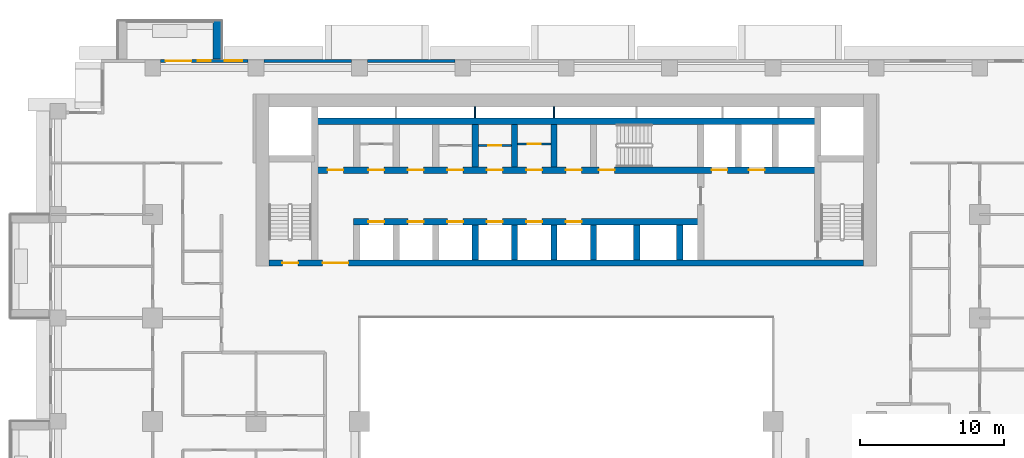
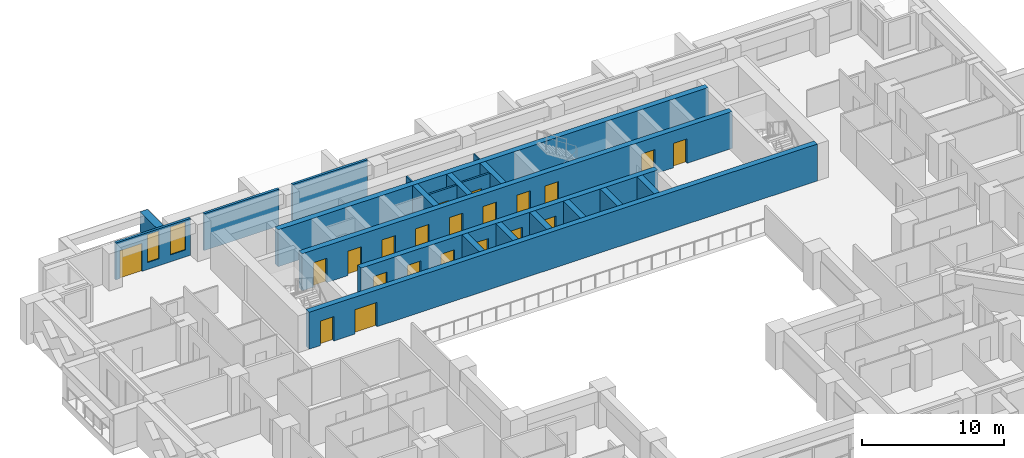
# One storey, part 10 of 17: 21 doors, 21 walls, 2 windows, 23 openings.
"""IFC4 building model written with IfcOpenShell, lengths in metres."""

from ifc_helpers import new_model, si_unit, direction, frame, frame_2d, origin, place, context, subcontext, project, spatial, rectangle, extrude, material, layer, layer_set, type_object, element, fill, save


model = new_model("IFC4")

# Units and contexts
model_context = context("Model", 3, precision=1e-05, world=origin(), true_north=direction((0.0, 1.0)))
body_context = subcontext(model_context, "Body", "Model", "MODEL_VIEW")
ifc_project = project(units=[si_unit("LENGTHUNIT", "METRE"), si_unit("AREAUNIT", "SQUARE_METRE"), si_unit("VOLUMEUNIT", "CUBIC_METRE"), si_unit("PLANEANGLEUNIT", "RADIAN"), si_unit("MASSUNIT", "GRAM", prefix="KILO")], contexts=[model_context])

# Site, building, storey
site_placement = place(None, origin())
site = spatial("IfcSite", under=ifc_project, at=site_placement, CompositionType="ELEMENT")
building_placement = place(site_placement, origin())
building = spatial("IfcBuilding", under=site, at=building_placement, Name="Saffron Iwan Residences", CompositionType="ELEMENT")
storey_placement = place(building_placement, frame((0.0, 0.0, 37.5)))
storey = spatial("IfcBuildingStorey", under=building, at=storey_placement, Name="L08", CompositionType="ELEMENT", Elevation=37.5)

# Wall
ifc_material_1 = material(Name="Concrete C50/60 white painted", Category="concrete")
ifc_layer_1 = layer(ifc_material_1, 0.60009765625)
ifc_layer_set_1 = layer_set([ifc_layer_1], Name="Concrete C50/60 white painted")
wall_type_1 = type_object("IfcWallType", Name="BALCONY FIN 600", PredefinedType="SOLIDWALL", material=ifc_layer_set_1)
wall_1_placement = place(storey_placement, frame((26.10009765625, 80.449951171875, 0.0), z_axis=(0.0, 0.0, 1.0), x_axis=(0.0, 1.0, 0.0)))
element("IfcWall", 1, at=wall_1_placement, inside=storey, type_object=wall_type_1, Name="Balcony fin L08 F5-3a", PredefinedType="SOLIDWALL", context=body_context, shape_type="SweptSolid", body=[
    extrude(rectangle(XDim=2.650146484375, YDim=0.60009765625, at=frame_2d((1.3251953125, 0.0))), origin(), (0.0, 0.0, 1.0), 2.85009765625),
])

# Wall, opening, door
ifc_material_2 = material(Name="Fire-rated plasterboard partition")
ifc_layer_2 = layer(ifc_material_2, 0.14990234375)
ifc_layer_set_2 = layer_set([ifc_layer_2], Name="Fire-rated plasterboard partition")
wall_type_2 = type_object("IfcWallType", Name="Core partition 150", PredefinedType="PARTITIONING", material=ifc_layer_set_2)
wall_2_placement = place(storey_placement, frame((44.27490234375, 74.39990234375, 0.0), z_axis=(0.0, 0.0, 1.0), x_axis=(1.0, 0.0, 0.0)))
wall_2 = element("IfcWall", 2, at=wall_2_placement, inside=storey, type_object=wall_type_2, Name="Core partition P03", PredefinedType="PARTITIONING", context=body_context, shape_type="SweptSolid", body=[
    extrude(rectangle(XDim=2.300048828125, YDim=0.14990234375, at=frame_2d((1.14990234375, 0.0))), origin(), (0.0, 0.0, 1.0), 3.179931640625),
])
opening_1_placement = place(wall_2_placement, frame((0.699951171875, 0.0, 0.0)))
opening_1 = element("IfcOpeningElement", 3, at=opening_1_placement, cuts=wall_2, Name="Opening SB", PredefinedType="OPENING", context=body_context, shape_type="SweptSolid", body=[
    extrude(rectangle(XDim=0.89990234375, YDim=2.10009765625, at=frame_2d((0.449951171875, 1.050048828125))), frame((0.0, 0.0849609375, 0.0), z_axis=(0.0, -1.0, 0.0), x_axis=(1.0, 0.0, 0.0)), (0.0, 0.0, 1.0), 0.169921875),
])
ifc_material_3 = material(Name="Steel fire door", Category="steel")
door_type_1 = type_object("IfcDoorType", Name="Store door 900", OperationType="NOTDEFINED", PredefinedType="DOOR", material=ifc_material_3)
door_1_placement = place(opening_1_placement, origin())
door_1 = element("IfcDoor", 4, at=door_1_placement, inside=storey, type_object=door_type_1, Name="Door Cabling room", OperationType="SINGLE_SWING_RIGHT", OverallHeight=2.10009765625, OverallWidth=0.89990234375, PredefinedType="DOOR", context=body_context, shape_type="SweptSolid", body=[
    extrude(rectangle(XDim=0.89990234375, YDim=2.10009765625, at=frame_2d((0.449951171875, 1.050048828125))), frame((0.0, 0.02490234375, 0.0), z_axis=(0.0, -1.0, 0.0), x_axis=(1.0, 0.0, 0.0)), (0.0, 0.0, 1.0), 0.050048828125),
])
fill(opening_1, door_1)

wall_3_placement = place(storey_placement, frame((47.02490234375, 74.51806640625, 0.0), z_axis=(0.0, 0.0, 1.0), x_axis=(1.0, 0.0, 0.0)))
wall_3 = element("IfcWall", 5, at=wall_3_placement, inside=storey, type_object=wall_type_2, Name="Core partition P04", PredefinedType="PARTITIONING", context=body_context, shape_type="SweptSolid", body=[
    extrude(rectangle(XDim=2.300048828125, YDim=0.14990234375, at=frame_2d((1.14990234375, 0.0))), origin(), (0.0, 0.0, 1.0), 3.179931640625),
])
opening_2_placement = place(wall_3_placement, frame((0.699951171875, 0.0, 0.0)))
opening_2 = element("IfcOpeningElement", 6, at=opening_2_placement, cuts=wall_3, Name="Opening SB", PredefinedType="OPENING", context=body_context, shape_type="SweptSolid", body=[
    extrude(rectangle(XDim=0.89990234375, YDim=2.10009765625, at=frame_2d((0.449951171875, 1.050048828125))), frame((0.0, 0.0849609375, 0.0), z_axis=(0.0, -1.0, 0.0), x_axis=(1.0, 0.0, 0.0)), (0.0, 0.0, 1.0), 0.169921875),
])
door_2_placement = place(opening_2_placement, origin())
door_2 = element("IfcDoor", 7, at=door_2_placement, inside=storey, type_object=door_type_1, Name="Door Equipment store", OperationType="SINGLE_SWING_RIGHT", OverallHeight=2.10009765625, OverallWidth=0.89990234375, PredefinedType="DOOR", context=body_context, shape_type="SweptSolid", body=[
    extrude(rectangle(XDim=0.89990234375, YDim=2.10009765625, at=frame_2d((0.449951171875, 1.050048828125))), frame((0.0, 0.02490234375, 0.0), z_axis=(0.0, -1.0, 0.0), x_axis=(1.0, 0.0, 0.0)), (0.0, 0.0, 1.0), 0.050048828125),
])
fill(opening_2, door_2)

# Walls
ifc_material_4 = material(Name="Concrete C40/50", Category="concrete")
ifc_layer_3 = layer(ifc_material_4, 0.199951171875)
ifc_layer_set_3 = layer_set([ifc_layer_3], Name="Concrete C40/50")
wall_type_3 = type_object("IfcWallType", Name="EXTERNAL WALL 200", PredefinedType="SOLIDWALL", material=ifc_layer_set_3)
for number, where, z_axis, x_axis, name in (
    (8, (42.64990234375, 80.300048828125, 0.0), (0.0, 0.0, 1.0), (-1.0, 0.0, 0.0), "External wall L08 F5.6"),
    (9, (35.449951171875, 80.300048828125, 0.0), (0.0, 0.0, 1.0), (-1.0, 0.0, 0.0), "External wall L08 F5.7"),
):
    element("IfcWall", number, at=place(storey_placement, frame(where, z_axis=z_axis, x_axis=x_axis)), inside=storey, type_object=wall_type_3, Name=name, PredefinedType="SOLIDWALL", context=body_context, shape_type="SweptSolid", body=[
        extrude(rectangle(XDim=6.099853515625, YDim=0.199951171875, at=frame_2d((3.0498046875, 0.0))), origin(), (0.0, 0.0, 1.0), 3.179931640625),
    ])

# Wall, openings, door, windows
wall_4_placement = place(storey_placement, frame((28.25, 80.300048828125, 0.0), z_axis=(0.0, 0.0, 1.0), x_axis=(-1.0, 0.0, 0.0)))
wall_4 = element("IfcWall", 10, at=wall_4_placement, inside=storey, type_object=wall_type_3, Name="External wall L08 F5.8", PredefinedType="SOLIDWALL", context=body_context, shape_type="SweptSolid", body=[
    extrude(rectangle(XDim=6.10009765625, YDim=0.199951171875, at=frame_2d((3.050048828125, 0.0))), origin(), (0.0, 0.0, 1.0), 3.179931640625),
])
opening_3_placement = place(wall_4_placement, frame((3.949951171875, 0.0, 0.0)))
opening_3 = element("IfcOpeningElement", 11, at=opening_3_placement, cuts=wall_4, Name="Opening BD1", PredefinedType="OPENING", context=body_context, shape_type="SweptSolid", body=[
    extrude(rectangle(XDim=1.800048828125, YDim=2.39990234375, at=frame_2d((0.89990234375, 1.199951171875))), frame((0.0, 0.10986328125, 0.0), z_axis=(0.0, -1.0, 0.0), x_axis=(1.0, 0.0, 0.0)), (0.0, 0.0, 1.0), 0.219970703125),
])
opening_4_placement = place(wall_4_placement, frame((0.425048828125, 0.0, 0.60009765625)))
opening_4 = element("IfcOpeningElement", 12, at=opening_4_placement, cuts=wall_4, Name="Opening W3", PredefinedType="OPENING", context=body_context, shape_type="SweptSolid", body=[
    extrude(rectangle(XDim=1.199951171875, YDim=2.39990234375, at=frame_2d((0.60009765625, 1.199951171875))), frame((0.0, 0.10986328125, 0.0), z_axis=(0.0, -1.0, 0.0), x_axis=(1.0, 0.0, 0.0)), (0.0, 0.0, 1.0), 0.219970703125),
])
opening_5_placement = place(wall_4_placement, frame((2.60009765625, 0.0, 0.60009765625)))
opening_5 = element("IfcOpeningElement", 13, at=opening_5_placement, cuts=wall_4, Name="Opening W10", PredefinedType="OPENING", context=body_context, shape_type="SweptSolid", body=[
    extrude(rectangle(XDim=0.89990234375, YDim=2.39990234375, at=frame_2d((0.449951171875, 1.199951171875))), frame((0.0, 0.10986328125, 0.0), z_axis=(0.0, -1.0, 0.0), x_axis=(1.0, 0.0, 0.0)), (0.0, 0.0, 1.0), 0.219970703125),
])
ifc_material_5 = material(Name="Clear glass, laminated double glazed", Category="glass")
door_type_2 = type_object("IfcDoorType", Name="BALCONY DOOR 1800 x 2400", OperationType="DOUBLE_DOOR_SLIDING", PredefinedType="DOOR", material=ifc_material_5)
door_3_placement = place(opening_3_placement, origin())
door_3 = element("IfcDoor", 14, at=door_3_placement, inside=storey, type_object=door_type_2, Name="Balcony door L08 F5.0", OperationType="DOUBLE_DOOR_SLIDING", OverallHeight=2.39990234375, OverallWidth=1.800048828125, PredefinedType="DOOR", context=body_context, shape_type="SweptSolid", body=[
    extrude(rectangle(XDim=1.800048828125, YDim=2.39990234375, at=frame_2d((0.89990234375, 1.199951171875))), frame((0.0, 0.02490234375, 0.0), z_axis=(0.0, -1.0, 0.0), x_axis=(1.0, 0.0, 0.0)), (0.0, 0.0, 1.0), 0.050048828125),
])
fill(opening_3, door_3)
window_type_1 = type_object("IfcWindowType", Name="WINDOW 1200 x 2400", PartitioningType="SINGLE_PANEL", PredefinedType="WINDOW", material=ifc_material_5)
window_1_placement = place(opening_4_placement, origin())
window_1 = element("IfcWindow", 15, at=window_1_placement, inside=storey, type_object=window_type_1, Name="Window L08 F5.1", OverallHeight=2.39990234375, OverallWidth=1.199951171875, PartitioningType="SINGLE_PANEL", PredefinedType="WINDOW", context=body_context, shape_type="SweptSolid", body=[
    extrude(rectangle(XDim=1.199951171875, YDim=2.39990234375, at=frame_2d((0.60009765625, 1.199951171875))), frame((0.0, 0.030029296875, 0.0), z_axis=(0.0, -1.0, 0.0), x_axis=(1.0, 0.0, 0.0)), (0.0, 0.0, 1.0), 0.06005859375),
])
fill(opening_4, window_1)
window_type_2 = type_object("IfcWindowType", Name="WINDOW 900 x 2400", PartitioningType="SINGLE_PANEL", PredefinedType="WINDOW", material=ifc_material_5)
window_2_placement = place(opening_5_placement, origin())
window_2 = element("IfcWindow", 16, at=window_2_placement, inside=storey, type_object=window_type_2, Name="Window L08 F5.2", OverallHeight=2.39990234375, OverallWidth=0.89990234375, PartitioningType="SINGLE_PANEL", PredefinedType="WINDOW", context=body_context, shape_type="SweptSolid", body=[
    extrude(rectangle(XDim=0.89990234375, YDim=2.39990234375, at=frame_2d((0.449951171875, 1.199951171875))), frame((0.0, 0.030029296875, 0.0), z_axis=(0.0, -1.0, 0.0), x_axis=(1.0, 0.0, 0.0)), (0.0, 0.0, 1.0), 0.06005859375),
])
fill(opening_5, window_2)

# Walls
ifc_layer_4 = layer(ifc_material_2, 0.10009765625)
ifc_layer_set_4 = layer_set([ifc_layer_4], Name="Fire-rated plasterboard partition")
wall_type_4 = type_object("IfcWallType", Name="Riser partition 100", PredefinedType="PARTITIONING", material=ifc_layer_set_4)
for number, where, z_axis, x_axis, name in (
    (17, (44.050048828125, 76.324951171875, 0.0), (0.0, 0.0, 1.0), (0.0, 1.0, 0.0), "Core partition P06"),
    (18, (49.550048828125, 76.324951171875, 0.0), (0.0, 0.0, 1.0), (0.0, 1.0, 0.0), "Core partition P07"),
):
    element("IfcWall", number, at=place(storey_placement, frame(where, z_axis=z_axis, x_axis=x_axis)), inside=storey, type_object=wall_type_4, Name=name, PredefinedType="PARTITIONING", context=body_context, shape_type="SweptSolid", body=[
        extrude(rectangle(XDim=0.775146484375, YDim=0.10009765625, at=frame_2d((0.3876953125, 0.0))), origin(), (0.0, 0.0, 1.0), 3.179931640625),
    ])

# Wall, openings, doors
ifc_material_6 = material(Name="Concrete C60/75", Category="concrete")
ifc_layer_5 = layer(ifc_material_6, 0.449951171875)
ifc_layer_set_5 = layer_set([ifc_layer_5], Name="Concrete C60/75")
wall_type_5 = type_object("IfcWallType", Name="WALL CORE 450 C60/75 3180 HIGH", PredefinedType="SHEAR", material=ifc_layer_set_5)
wall_5_placement = place(storey_placement, frame((29.699951171875, 66.22509765625, 0.0), z_axis=(0.0, 0.0, 1.0), x_axis=(1.0, 0.0, 0.0)))
wall_5 = element("IfcWall", 19, at=wall_5_placement, inside=storey, type_object=wall_type_5, Name="Core wall", PredefinedType="SHEAR", context=body_context, shape_type="SweptSolid", body=[
    extrude(rectangle(XDim=41.400146484375, YDim=0.449951171875, at=frame_2d((20.7001953125, 0.0))), origin(), (0.0, 0.0, 1.0), 3.179931640625),
])
opening_6_placement = place(wall_5_placement, frame((0.925048828125, 0.0, 0.0)))
opening_6 = element("IfcOpeningElement", 20, at=opening_6_placement, cuts=wall_5, Name="Opening SD", PredefinedType="OPENING", context=body_context, shape_type="SweptSolid", body=[
    extrude(rectangle(XDim=1.10009765625, YDim=2.10009765625, at=frame_2d((0.550048828125, 1.050048828125))), frame((0.0, 0.23486328125, 0.0), z_axis=(0.0, -1.0, 0.0), x_axis=(1.0, 0.0, 0.0)), (0.0, 0.0, 1.0), 0.469970703125),
])
opening_7_placement = place(wall_5_placement, frame((3.737548828125, 0.0, 0.0)))
opening_7 = element("IfcOpeningElement", 21, at=opening_7_placement, cuts=wall_5, Name="Opening DD", PredefinedType="OPENING", context=body_context, shape_type="SweptSolid", body=[
    extrude(rectangle(XDim=1.800048828125, YDim=2.10009765625, at=frame_2d((0.89990234375, 1.050048828125))), frame((0.0, 0.23486328125, 0.0), z_axis=(0.0, -1.0, 0.0), x_axis=(1.0, 0.0, 0.0)), (0.0, 0.0, 1.0), 0.469970703125),
])
door_type_3 = type_object("IfcDoorType", Name="Lobby double door 1800", OperationType="DOUBLE_DOOR_SINGLE_SWING", PredefinedType="DOOR", material=ifc_material_3)
door_4_placement = place(opening_7_placement, origin())
door_4 = element("IfcDoor", 22, at=door_4_placement, inside=storey, type_object=door_type_3, Name="Lobby doors", OperationType="DOUBLE_DOOR_SINGLE_SWING", OverallHeight=2.10009765625, OverallWidth=1.800048828125, PredefinedType="DOOR", context=body_context, shape_type="SweptSolid", body=[
    extrude(rectangle(XDim=1.800048828125, YDim=2.10009765625, at=frame_2d((0.89990234375, 1.050048828125))), frame((0.0, 0.02490234375, 0.0), z_axis=(0.0, -1.0, 0.0), x_axis=(1.0, 0.0, 0.0)), (0.0, 0.0, 1.0), 0.050048828125),
])
fill(opening_7, door_4)
door_type_4 = type_object("IfcDoorType", Name="Stair door 1100", OperationType="NOTDEFINED", PredefinedType="DOOR", material=ifc_material_3)
door_5_placement = place(opening_6_placement, origin())
door_5 = element("IfcDoor", 23, at=door_5_placement, inside=storey, type_object=door_type_4, Name="Stair door ST-W", OperationType="SINGLE_SWING_LEFT", OverallHeight=2.10009765625, OverallWidth=1.10009765625, PredefinedType="DOOR", context=body_context, shape_type="SweptSolid", body=[
    extrude(rectangle(XDim=1.10009765625, YDim=2.10009765625, at=frame_2d((0.550048828125, 1.050048828125))), frame((0.0, 0.02490234375, 0.0), z_axis=(0.0, -1.0, 0.0), x_axis=(1.0, 0.0, 0.0)), (0.0, 0.0, 1.0), 0.050048828125),
])
fill(opening_6, door_5)

wall_6_placement = place(storey_placement, frame((35.574951171875, 69.10009765625, 0.0), z_axis=(0.0, 0.0, 1.0), x_axis=(1.0, 0.0, 0.0)))
wall_6 = element("IfcWall", 24, at=wall_6_placement, inside=storey, type_object=wall_type_5, Name="Core wall", PredefinedType="SHEAR", context=body_context, shape_type="SweptSolid", body=[
    extrude(rectangle(XDim=24.199951171875, YDim=0.449951171875, at=frame_2d((12.10009765625, 0.0))), origin(), (0.0, 0.0, 1.0), 3.179931640625),
])
opening_8_placement = place(wall_6_placement, frame((1.050048828125, 0.0, 0.0)))
opening_8 = element("IfcOpeningElement", 25, at=opening_8_placement, cuts=wall_6, Name="Opening LD", PredefinedType="OPENING", context=body_context, shape_type="SweptSolid", body=[
    extrude(rectangle(XDim=1.10009765625, YDim=2.10009765625, at=frame_2d((0.550048828125, 1.050048828125))), frame((0.0, 0.23486328125, 0.0), z_axis=(0.0, -1.0, 0.0), x_axis=(1.0, 0.0, 0.0)), (0.0, 0.0, 1.0), 0.469970703125),
])
opening_9_placement = place(wall_6_placement, frame((3.800048828125, 0.0, 0.0)))
opening_9 = element("IfcOpeningElement", 26, at=opening_9_placement, cuts=wall_6, Name="Opening LD", PredefinedType="OPENING", context=body_context, shape_type="SweptSolid", body=[
    extrude(rectangle(XDim=1.10009765625, YDim=2.10009765625, at=frame_2d((0.550048828125, 1.050048828125))), frame((0.0, 0.23486328125, 0.0), z_axis=(0.0, -1.0, 0.0), x_axis=(1.0, 0.0, 0.0)), (0.0, 0.0, 1.0), 0.469970703125),
])
opening_10_placement = place(wall_6_placement, frame((6.550048828125, 0.0, 0.0)))
opening_10 = element("IfcOpeningElement", 27, at=opening_10_placement, cuts=wall_6, Name="Opening LD", PredefinedType="OPENING", context=body_context, shape_type="SweptSolid", body=[
    extrude(rectangle(XDim=1.10009765625, YDim=2.10009765625, at=frame_2d((0.550048828125, 1.050048828125))), frame((0.0, 0.23486328125, 0.0), z_axis=(0.0, -1.0, 0.0), x_axis=(1.0, 0.0, 0.0)), (0.0, 0.0, 1.0), 0.469970703125),
])
opening_11_placement = place(wall_6_placement, frame((9.300048828125, 0.0, 0.0)))
opening_11 = element("IfcOpeningElement", 28, at=opening_11_placement, cuts=wall_6, Name="Opening LD", PredefinedType="OPENING", context=body_context, shape_type="SweptSolid", body=[
    extrude(rectangle(XDim=1.10009765625, YDim=2.10009765625, at=frame_2d((0.550048828125, 1.050048828125))), frame((0.0, 0.23486328125, 0.0), z_axis=(0.0, -1.0, 0.0), x_axis=(1.0, 0.0, 0.0)), (0.0, 0.0, 1.0), 0.469970703125),
])
opening_12_placement = place(wall_6_placement, frame((12.050048828125, 0.0, 0.0)))
opening_12 = element("IfcOpeningElement", 29, at=opening_12_placement, cuts=wall_6, Name="Opening LD", PredefinedType="OPENING", context=body_context, shape_type="SweptSolid", body=[
    extrude(rectangle(XDim=1.10009765625, YDim=2.10009765625, at=frame_2d((0.550048828125, 1.050048828125))), frame((0.0, 0.23486328125, 0.0), z_axis=(0.0, -1.0, 0.0), x_axis=(1.0, 0.0, 0.0)), (0.0, 0.0, 1.0), 0.469970703125),
])
opening_13_placement = place(wall_6_placement, frame((14.800048828125, 0.0, 0.0)))
opening_13 = element("IfcOpeningElement", 30, at=opening_13_placement, cuts=wall_6, Name="Opening LD", PredefinedType="OPENING", context=body_context, shape_type="SweptSolid", body=[
    extrude(rectangle(XDim=1.10009765625, YDim=2.10009765625, at=frame_2d((0.550048828125, 1.050048828125))), frame((0.0, 0.23486328125, 0.0), z_axis=(0.0, -1.0, 0.0), x_axis=(1.0, 0.0, 0.0)), (0.0, 0.0, 1.0), 0.469970703125),
])
door_type_5 = type_object("IfcDoorType", Name="Lift landing door 1100", OperationType="SLIDING_TO_LEFT", PredefinedType="DOOR", material=ifc_material_3)
door_6_placement = place(opening_8_placement, origin())
door_6 = element("IfcDoor", 31, at=door_6_placement, inside=storey, type_object=door_type_5, Name="Landing doors LR1", OperationType="SLIDING_TO_LEFT", OverallHeight=2.10009765625, OverallWidth=1.10009765625, PredefinedType="DOOR", context=body_context, shape_type="SweptSolid", body=[
    extrude(rectangle(XDim=1.10009765625, YDim=2.10009765625, at=frame_2d((0.550048828125, 1.050048828125))), frame((0.0, 0.02490234375, 0.0), z_axis=(0.0, -1.0, 0.0), x_axis=(1.0, 0.0, 0.0)), (0.0, 0.0, 1.0), 0.050048828125),
])
fill(opening_8, door_6)
door_7_placement = place(opening_9_placement, origin())
door_7 = element("IfcDoor", 32, at=door_7_placement, inside=storey, type_object=door_type_5, Name="Landing doors LR2", OperationType="SLIDING_TO_LEFT", OverallHeight=2.10009765625, OverallWidth=1.10009765625, PredefinedType="DOOR", context=body_context, shape_type="SweptSolid", body=[
    extrude(rectangle(XDim=1.10009765625, YDim=2.10009765625, at=frame_2d((0.550048828125, 1.050048828125))), frame((0.0, 0.02490234375, 0.0), z_axis=(0.0, -1.0, 0.0), x_axis=(1.0, 0.0, 0.0)), (0.0, 0.0, 1.0), 0.050048828125),
])
fill(opening_9, door_7)
door_8_placement = place(opening_10_placement, origin())
door_8 = element("IfcDoor", 33, at=door_8_placement, inside=storey, type_object=door_type_5, Name="Landing doors LR3", OperationType="SLIDING_TO_LEFT", OverallHeight=2.10009765625, OverallWidth=1.10009765625, PredefinedType="DOOR", context=body_context, shape_type="SweptSolid", body=[
    extrude(rectangle(XDim=1.10009765625, YDim=2.10009765625, at=frame_2d((0.550048828125, 1.050048828125))), frame((0.0, 0.02490234375, 0.0), z_axis=(0.0, -1.0, 0.0), x_axis=(1.0, 0.0, 0.0)), (0.0, 0.0, 1.0), 0.050048828125),
])
fill(opening_10, door_8)
door_9_placement = place(opening_11_placement, origin())
door_9 = element("IfcDoor", 34, at=door_9_placement, inside=storey, type_object=door_type_5, Name="Landing doors LR4", OperationType="SLIDING_TO_LEFT", OverallHeight=2.10009765625, OverallWidth=1.10009765625, PredefinedType="DOOR", context=body_context, shape_type="SweptSolid", body=[
    extrude(rectangle(XDim=1.10009765625, YDim=2.10009765625, at=frame_2d((0.550048828125, 1.050048828125))), frame((0.0, 0.02490234375, 0.0), z_axis=(0.0, -1.0, 0.0), x_axis=(1.0, 0.0, 0.0)), (0.0, 0.0, 1.0), 0.050048828125),
])
fill(opening_11, door_9)
door_10_placement = place(opening_12_placement, origin())
door_10 = element("IfcDoor", 35, at=door_10_placement, inside=storey, type_object=door_type_5, Name="Landing doors LR5", OperationType="SLIDING_TO_LEFT", OverallHeight=2.10009765625, OverallWidth=1.10009765625, PredefinedType="DOOR", context=body_context, shape_type="SweptSolid", body=[
    extrude(rectangle(XDim=1.10009765625, YDim=2.10009765625, at=frame_2d((0.550048828125, 1.050048828125))), frame((0.0, 0.02490234375, 0.0), z_axis=(0.0, -1.0, 0.0), x_axis=(1.0, 0.0, 0.0)), (0.0, 0.0, 1.0), 0.050048828125),
])
fill(opening_12, door_10)
door_11_placement = place(opening_13_placement, origin())
door_11 = element("IfcDoor", 36, at=door_11_placement, inside=storey, type_object=door_type_5, Name="Landing doors LR6", OperationType="SLIDING_TO_LEFT", OverallHeight=2.10009765625, OverallWidth=1.10009765625, PredefinedType="DOOR", context=body_context, shape_type="SweptSolid", body=[
    extrude(rectangle(XDim=1.10009765625, YDim=2.10009765625, at=frame_2d((0.550048828125, 1.050048828125))), frame((0.0, 0.02490234375, 0.0), z_axis=(0.0, -1.0, 0.0), x_axis=(1.0, 0.0, 0.0)), (0.0, 0.0, 1.0), 0.050048828125),
])
fill(opening_13, door_11)

wall_7_placement = place(storey_placement, frame((32.875, 72.699951171875, 0.0), z_axis=(0.0, 0.0, 1.0), x_axis=(1.0, 0.0, 0.0)))
wall_7 = element("IfcWall", 37, at=wall_7_placement, inside=storey, type_object=wall_type_5, Name="Core wall", PredefinedType="SHEAR", context=body_context, shape_type="SweptSolid", body=[
    extrude(rectangle(XDim=35.050048828125, YDim=0.449951171875, at=frame_2d((17.52490234375, 0.0))), origin(), (0.0, 0.0, 1.0), 3.179931640625),
])
opening_14_placement = place(wall_7_placement, frame((19.800048828125, 0.0, 0.0)))
opening_14 = element("IfcOpeningElement", 38, at=opening_14_placement, cuts=wall_7, Name="Opening SD", PredefinedType="OPENING", context=body_context, shape_type="SweptSolid", body=[
    extrude(rectangle(XDim=1.10009765625, YDim=2.10009765625, at=frame_2d((0.550048828125, 1.050048828125))), frame((0.0, 0.23486328125, 0.0), z_axis=(0.0, -1.0, 0.0), x_axis=(1.0, 0.0, 0.0)), (0.0, 0.0, 1.0), 0.469970703125),
])
opening_15_placement = place(wall_7_placement, frame((27.64990234375, 0.0, 0.0)))
opening_15 = element("IfcOpeningElement", 39, at=opening_15_placement, cuts=wall_7, Name="Opening LD", PredefinedType="OPENING", context=body_context, shape_type="SweptSolid", body=[
    extrude(rectangle(XDim=1.10009765625, YDim=2.10009765625, at=frame_2d((0.550048828125, 1.050048828125))), frame((0.0, 0.23486328125, 0.0), z_axis=(0.0, -1.0, 0.0), x_axis=(1.0, 0.0, 0.0)), (0.0, 0.0, 1.0), 0.469970703125),
])
opening_16_placement = place(wall_7_placement, frame((30.25, 0.0, 0.0)))
opening_16 = element("IfcOpeningElement", 40, at=opening_16_placement, cuts=wall_7, Name="Opening LD", PredefinedType="OPENING", context=body_context, shape_type="SweptSolid", body=[
    extrude(rectangle(XDim=1.10009765625, YDim=2.10009765625, at=frame_2d((0.550048828125, 1.050048828125))), frame((0.0, 0.23486328125, 0.0), z_axis=(0.0, -1.0, 0.0), x_axis=(1.0, 0.0, 0.0)), (0.0, 0.0, 1.0), 0.469970703125),
])
opening_17_placement = place(wall_7_placement, frame((3.75, 0.0, 0.0)))
opening_17 = element("IfcOpeningElement", 41, at=opening_17_placement, cuts=wall_7, Name="Opening SR", PredefinedType="OPENING", context=body_context, shape_type="SweptSolid", body=[
    extrude(rectangle(XDim=1.10009765625, YDim=2.10009765625, at=frame_2d((0.550048828125, 1.050048828125))), frame((0.0, 0.23486328125, 0.0), z_axis=(0.0, -1.0, 0.0), x_axis=(1.0, 0.0, 0.0)), (0.0, 0.0, 1.0), 0.469970703125),
])
opening_18_placement = place(wall_7_placement, frame((6.5, 0.0, 0.0)))
opening_18 = element("IfcOpeningElement", 42, at=opening_18_placement, cuts=wall_7, Name="Opening SR", PredefinedType="OPENING", context=body_context, shape_type="SweptSolid", body=[
    extrude(rectangle(XDim=1.10009765625, YDim=2.10009765625, at=frame_2d((0.550048828125, 1.050048828125))), frame((0.0, 0.23486328125, 0.0), z_axis=(0.0, -1.0, 0.0), x_axis=(1.0, 0.0, 0.0)), (0.0, 0.0, 1.0), 0.469970703125),
])
opening_19_placement = place(wall_7_placement, frame((9.25, 0.0, 0.0)))
opening_19 = element("IfcOpeningElement", 43, at=opening_19_placement, cuts=wall_7, Name="Opening SR", PredefinedType="OPENING", context=body_context, shape_type="SweptSolid", body=[
    extrude(rectangle(XDim=1.10009765625, YDim=2.10009765625, at=frame_2d((0.550048828125, 1.050048828125))), frame((0.0, 0.23486328125, 0.0), z_axis=(0.0, -1.0, 0.0), x_axis=(1.0, 0.0, 0.0)), (0.0, 0.0, 1.0), 0.469970703125),
])
opening_20_placement = place(wall_7_placement, frame((12.0, 0.0, 0.0)))
opening_20 = element("IfcOpeningElement", 44, at=opening_20_placement, cuts=wall_7, Name="Opening SR", PredefinedType="OPENING", context=body_context, shape_type="SweptSolid", body=[
    extrude(rectangle(XDim=1.10009765625, YDim=2.10009765625, at=frame_2d((0.550048828125, 1.050048828125))), frame((0.0, 0.23486328125, 0.0), z_axis=(0.0, -1.0, 0.0), x_axis=(1.0, 0.0, 0.0)), (0.0, 0.0, 1.0), 0.469970703125),
])
opening_21_placement = place(wall_7_placement, frame((14.75, 0.0, 0.0)))
opening_21 = element("IfcOpeningElement", 45, at=opening_21_placement, cuts=wall_7, Name="Opening SR", PredefinedType="OPENING", context=body_context, shape_type="SweptSolid", body=[
    extrude(rectangle(XDim=1.10009765625, YDim=2.10009765625, at=frame_2d((0.550048828125, 1.050048828125))), frame((0.0, 0.23486328125, 0.0), z_axis=(0.0, -1.0, 0.0), x_axis=(1.0, 0.0, 0.0)), (0.0, 0.0, 1.0), 0.469970703125),
])
opening_22_placement = place(wall_7_placement, frame((17.5, 0.0, 0.0)))
opening_22 = element("IfcOpeningElement", 46, at=opening_22_placement, cuts=wall_7, Name="Opening SR", PredefinedType="OPENING", context=body_context, shape_type="SweptSolid", body=[
    extrude(rectangle(XDim=1.10009765625, YDim=2.10009765625, at=frame_2d((0.550048828125, 1.050048828125))), frame((0.0, 0.23486328125, 0.0), z_axis=(0.0, -1.0, 0.0), x_axis=(1.0, 0.0, 0.0)), (0.0, 0.0, 1.0), 0.469970703125),
])
opening_23_placement = place(wall_7_placement, frame((0.91259765625, 0.0, 0.0)))
opening_23 = element("IfcOpeningElement", 47, at=opening_23_placement, cuts=wall_7, Name="Opening SR", PredefinedType="OPENING", context=body_context, shape_type="SweptSolid", body=[
    extrude(rectangle(XDim=1.10009765625, YDim=2.10009765625, at=frame_2d((0.550048828125, 1.050048828125))), frame((0.0, 0.23486328125, 0.0), z_axis=(0.0, -1.0, 0.0), x_axis=(1.0, 0.0, 0.0)), (0.0, 0.0, 1.0), 0.469970703125),
])
door_12_placement = place(opening_15_placement, origin())
door_12 = element("IfcDoor", 48, at=door_12_placement, inside=storey, type_object=door_type_5, Name="Landing doors FF1", OperationType="SLIDING_TO_LEFT", OverallHeight=2.10009765625, OverallWidth=1.10009765625, PredefinedType="DOOR", context=body_context, shape_type="SweptSolid", body=[
    extrude(rectangle(XDim=1.10009765625, YDim=2.10009765625, at=frame_2d((0.550048828125, 1.050048828125))), frame((0.0, 0.02490234375, 0.0), z_axis=(0.0, -1.0, 0.0), x_axis=(1.0, 0.0, 0.0)), (0.0, 0.0, 1.0), 0.050048828125),
])
fill(opening_15, door_12)
door_13_placement = place(opening_16_placement, origin())
door_13 = element("IfcDoor", 49, at=door_13_placement, inside=storey, type_object=door_type_5, Name="Landing doors FF2", OperationType="SLIDING_TO_LEFT", OverallHeight=2.10009765625, OverallWidth=1.10009765625, PredefinedType="DOOR", context=body_context, shape_type="SweptSolid", body=[
    extrude(rectangle(XDim=1.10009765625, YDim=2.10009765625, at=frame_2d((0.550048828125, 1.050048828125))), frame((0.0, 0.02490234375, 0.0), z_axis=(0.0, -1.0, 0.0), x_axis=(1.0, 0.0, 0.0)), (0.0, 0.0, 1.0), 0.050048828125),
])
fill(opening_16, door_13)
door_type_6 = type_object("IfcDoorType", Name="Service door 1100", OperationType="NOTDEFINED", PredefinedType="DOOR", material=ifc_material_3)
door_14_placement = place(opening_17_placement, origin())
door_14 = element("IfcDoor", 50, at=door_14_placement, inside=storey, type_object=door_type_6, Name="Door Electrical room", OperationType="SINGLE_SWING_LEFT", OverallHeight=2.10009765625, OverallWidth=1.10009765625, PredefinedType="DOOR", context=body_context, shape_type="SweptSolid", body=[
    extrude(rectangle(XDim=1.10009765625, YDim=2.10009765625, at=frame_2d((0.550048828125, 1.050048828125))), frame((0.0, 0.02490234375, 0.0), z_axis=(0.0, -1.0, 0.0), x_axis=(1.0, 0.0, 0.0)), (0.0, 0.0, 1.0), 0.050048828125),
])
fill(opening_17, door_14)
door_15_placement = place(opening_18_placement, origin())
door_15 = element("IfcDoor", 51, at=door_15_placement, inside=storey, type_object=door_type_6, Name="Door Luggage store", OperationType="SINGLE_SWING_LEFT", OverallHeight=2.10009765625, OverallWidth=1.10009765625, PredefinedType="DOOR", context=body_context, shape_type="SweptSolid", body=[
    extrude(rectangle(XDim=1.10009765625, YDim=2.10009765625, at=frame_2d((0.550048828125, 1.050048828125))), frame((0.0, 0.02490234375, 0.0), z_axis=(0.0, -1.0, 0.0), x_axis=(1.0, 0.0, 0.0)), (0.0, 0.0, 1.0), 0.050048828125),
])
fill(opening_18, door_15)
door_16_placement = place(opening_19_placement, origin())
door_16 = element("IfcDoor", 52, at=door_16_placement, inside=storey, type_object=door_type_6, Name="Door Refuse store", OperationType="SINGLE_SWING_LEFT", OverallHeight=2.10009765625, OverallWidth=1.10009765625, PredefinedType="DOOR", context=body_context, shape_type="SweptSolid", body=[
    extrude(rectangle(XDim=1.10009765625, YDim=2.10009765625, at=frame_2d((0.550048828125, 1.050048828125))), frame((0.0, 0.02490234375, 0.0), z_axis=(0.0, -1.0, 0.0), x_axis=(1.0, 0.0, 0.0)), (0.0, 0.0, 1.0), 0.050048828125),
])
fill(opening_19, door_16)
door_17_placement = place(opening_20_placement, origin())
door_17 = element("IfcDoor", 53, at=door_17_placement, inside=storey, type_object=door_type_6, Name="Door Maintenance store", OperationType="SINGLE_SWING_LEFT", OverallHeight=2.10009765625, OverallWidth=1.10009765625, PredefinedType="DOOR", context=body_context, shape_type="SweptSolid", body=[
    extrude(rectangle(XDim=1.10009765625, YDim=2.10009765625, at=frame_2d((0.550048828125, 1.050048828125))), frame((0.0, 0.02490234375, 0.0), z_axis=(0.0, -1.0, 0.0), x_axis=(1.0, 0.0, 0.0)), (0.0, 0.0, 1.0), 0.050048828125),
])
fill(opening_20, door_17)
door_18_placement = place(opening_21_placement, origin())
door_18 = element("IfcDoor", 54, at=door_18_placement, inside=storey, type_object=door_type_6, Name="Door Linen store", OperationType="SINGLE_SWING_LEFT", OverallHeight=2.10009765625, OverallWidth=1.10009765625, PredefinedType="DOOR", context=body_context, shape_type="SweptSolid", body=[
    extrude(rectangle(XDim=1.10009765625, YDim=2.10009765625, at=frame_2d((0.550048828125, 1.050048828125))), frame((0.0, 0.02490234375, 0.0), z_axis=(0.0, -1.0, 0.0), x_axis=(1.0, 0.0, 0.0)), (0.0, 0.0, 1.0), 0.050048828125),
])
fill(opening_21, door_18)
door_19_placement = place(opening_22_placement, origin())
door_19 = element("IfcDoor", 55, at=door_19_placement, inside=storey, type_object=door_type_6, Name="Door Pantry", OperationType="SINGLE_SWING_LEFT", OverallHeight=2.10009765625, OverallWidth=1.10009765625, PredefinedType="DOOR", context=body_context, shape_type="SweptSolid", body=[
    extrude(rectangle(XDim=1.10009765625, YDim=2.10009765625, at=frame_2d((0.550048828125, 1.050048828125))), frame((0.0, 0.02490234375, 0.0), z_axis=(0.0, -1.0, 0.0), x_axis=(1.0, 0.0, 0.0)), (0.0, 0.0, 1.0), 0.050048828125),
])
fill(opening_22, door_19)
door_20_placement = place(opening_23_placement, origin())
door_20 = element("IfcDoor", 56, at=door_20_placement, inside=storey, type_object=door_type_6, Name="Door Cleaner's store", OperationType="SINGLE_SWING_LEFT", OverallHeight=2.10009765625, OverallWidth=1.10009765625, PredefinedType="DOOR", context=body_context, shape_type="SweptSolid", body=[
    extrude(rectangle(XDim=1.10009765625, YDim=2.10009765625, at=frame_2d((0.550048828125, 1.050048828125))), frame((0.0, 0.02490234375, 0.0), z_axis=(0.0, -1.0, 0.0), x_axis=(1.0, 0.0, 0.0)), (0.0, 0.0, 1.0), 0.050048828125),
])
fill(opening_23, door_20)
door_21_placement = place(opening_14_placement, origin())
door_21 = element("IfcDoor", 57, at=door_21_placement, inside=storey, type_object=door_type_4, Name="Stair door ST-C", OperationType="SINGLE_SWING_LEFT", OverallHeight=2.10009765625, OverallWidth=1.10009765625, PredefinedType="DOOR", context=body_context, shape_type="SweptSolid", body=[
    extrude(rectangle(XDim=1.10009765625, YDim=2.10009765625, at=frame_2d((0.550048828125, 1.050048828125))), frame((0.0, 0.02490234375, 0.0), z_axis=(0.0, -1.0, 0.0), x_axis=(1.0, 0.0, 0.0)), (0.0, 0.0, 1.0), 0.050048828125),
])
fill(opening_14, door_21)

# Walls
wall_8_placement = place(storey_placement, frame((32.875, 76.10009765625, 0.0), z_axis=(0.0, 0.0, 1.0), x_axis=(1.0, 0.0, 0.0)))
element("IfcWall", 58, at=wall_8_placement, inside=storey, type_object=wall_type_5, Name="Core wall", PredefinedType="SHEAR", context=body_context, shape_type="SweptSolid", body=[
    extrude(rectangle(XDim=35.050048828125, YDim=0.449951171875, at=frame_2d((17.52490234375, 0.0))), origin(), (0.0, 0.0, 1.0), 3.179931640625),
])
for number, where, z_axis, x_axis, name in (
    (59, (44.050048828125, 66.449951171875, 0.0), (0.0, 0.0, 1.0), (0.0, 1.0, 0.0), "Core wall"),
    (60, (46.800048828125, 66.449951171875, 0.0), (0.0, 0.0, 1.0), (0.0, 1.0, 0.0), "Core wall"),
    (61, (49.550048828125, 66.449951171875, 0.0), (0.0, 0.0, 1.0), (0.0, 1.0, 0.0), "Core wall"),
    (62, (52.300048828125, 66.449951171875, 0.0), (0.0, 0.0, 1.0), (0.0, 1.0, 0.0), "Core wall"),
    (63, (55.300048828125, 66.449951171875, 0.0), (0.0, 0.0, 1.0), (0.0, 1.0, 0.0), "Core wall"),
    (64, (58.300048828125, 66.449951171875, 0.0), (0.0, 0.0, 1.0), (0.0, 1.0, 0.0), "Core wall"),
):
    element("IfcWall", number, at=place(storey_placement, frame(where, z_axis=z_axis, x_axis=x_axis)), inside=storey, type_object=wall_type_5, Name=name, PredefinedType="SHEAR", context=body_context, shape_type="SweptSolid", body=[
        extrude(rectangle(XDim=2.425048828125, YDim=0.449951171875, at=frame_2d((1.21240234375, 0.0))), origin(), (0.0, 0.0, 1.0), 3.179931640625),
    ])
for number, where, z_axis, x_axis, name in (
    (65, (44.050048828125, 72.925048828125, 0.0), (0.0, 0.0, 1.0), (0.0, 1.0, 0.0), "Core wall"),
    (66, (46.800048828125, 72.925048828125, 0.0), (0.0, 0.0, 1.0), (0.0, 1.0, 0.0), "Core wall"),
    (67, (49.550048828125, 72.925048828125, 0.0), (0.0, 0.0, 1.0), (0.0, 1.0, 0.0), "Core wall"),
):
    element("IfcWall", number, at=place(storey_placement, frame(where, z_axis=z_axis, x_axis=x_axis)), inside=storey, type_object=wall_type_5, Name=name, PredefinedType="SHEAR", context=body_context, shape_type="SweptSolid", body=[
        extrude(rectangle(XDim=2.949951171875, YDim=0.449951171875, at=frame_2d((1.47509765625, 0.0))), origin(), (0.0, 0.0, 1.0), 3.179931640625),
    ])

save(model, "model.ifc")
